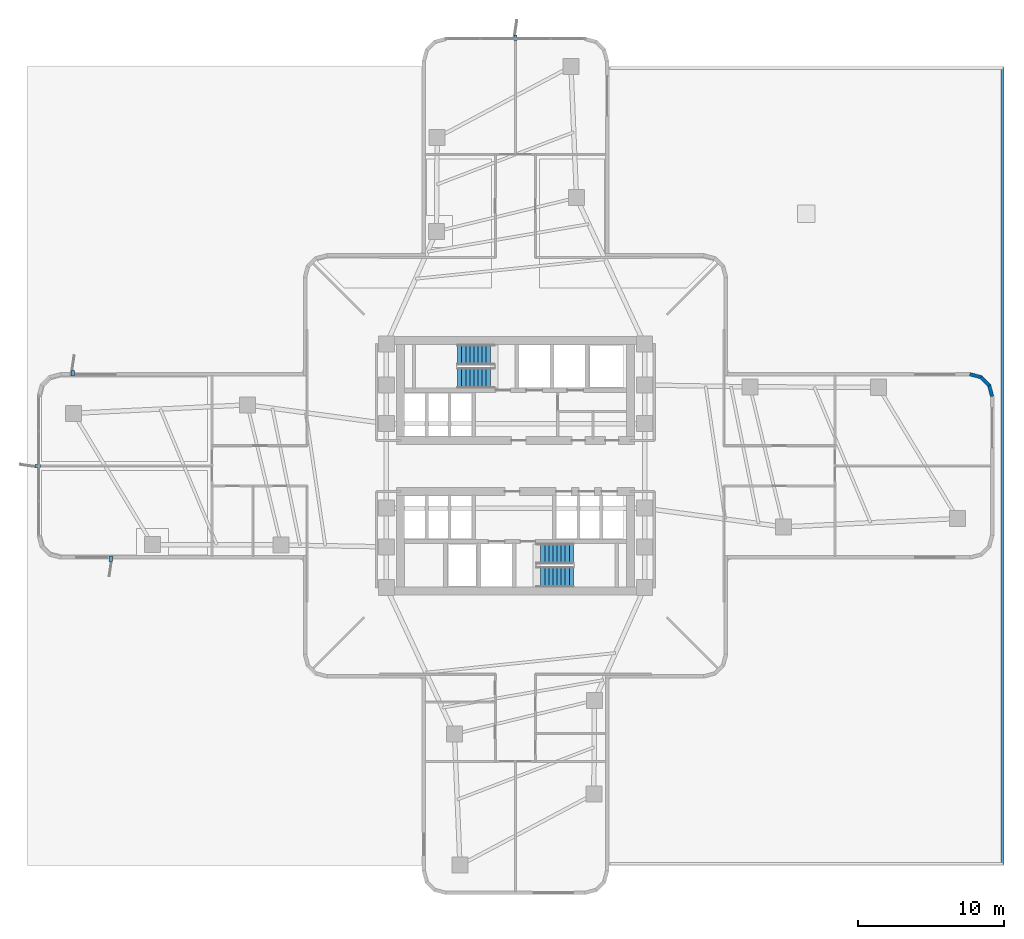
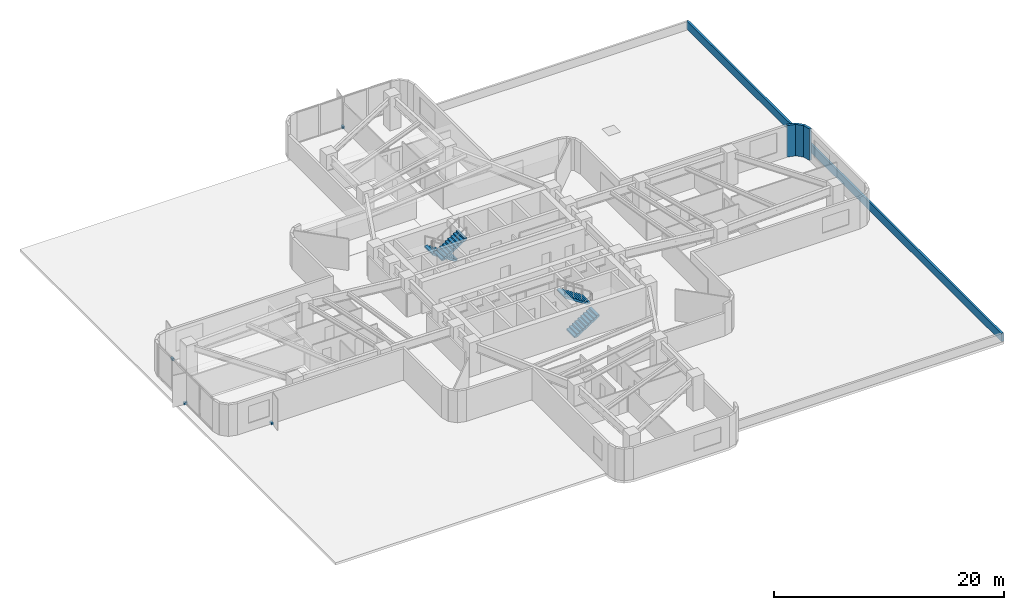
# One storey, part 11 of 14: 4 discrete accessories, 4 stair flights, 4 walls, 2 elements without a shape of their own.
"""IFC4 building model written with IfcOpenShell, lengths in metres."""

from ifc_helpers import new_model, si_unit, direction, frame, frame_2d, origin, origin_2d, place, context, subcontext, project, spatial, polyline, rectangle, outline, extrude, material, layer, layer_set, type_object, element, aggregate, save


model = new_model("IFC4")

# Units and contexts
model_context = context("Model", 3, precision=1e-05, world=origin(), true_north=direction((0.0, 1.0)))
body_context = subcontext(model_context, "Body", "Model", "MODEL_VIEW")
ifc_project = project(units=[si_unit("LENGTHUNIT", "METRE"), si_unit("AREAUNIT", "SQUARE_METRE"), si_unit("VOLUMEUNIT", "CUBIC_METRE"), si_unit("PLANEANGLEUNIT", "RADIAN"), si_unit("MASSUNIT", "GRAM", prefix="KILO")], contexts=[model_context])

# Site, building, storey
site_placement = place(None, origin())
site = spatial("IfcSite", under=ifc_project, at=site_placement, CompositionType="ELEMENT")
building_placement = place(site_placement, origin())
building = spatial("IfcBuilding", under=site, at=building_placement, Name="Solmarez Civic Tower", CompositionType="ELEMENT")
storey_placement = place(building_placement, frame((0.0, 0.0, 24.47998046875)))
storey = spatial("IfcBuildingStorey", under=building, at=storey_placement, Name="L05", CompositionType="ELEMENT", Elevation=24.47998046875)

# Walls
ifc_material_1 = material(Name="Precast concrete C40/50", Category="concrete")
ifc_layer_1 = layer(ifc_material_1, 0.239990234375)
ifc_layer_set_1 = layer_set([ifc_layer_1], Name="Precast concrete C40/50")
wall_type_1 = type_object("IfcWallType", Name="WALL-EXT-240", PredefinedType="SOLIDWALL", material=ifc_layer_set_1)
wall_1_placement = place(storey_placement, frame((31.159912109375, 6.285888671875, 0.0), z_axis=(0.0, 0.0, 1.0), x_axis=(0.966234939601, -0.25766265056, 0.0)))
element("IfcWall", 1, at=wall_1_placement, inside=storey, type_object=wall_type_1, Name="L05 Exterior Precast Wall 39", PredefinedType="SOLIDWALL", context=body_context, shape_type="SweptSolid", body=[
    extrude(rectangle(XDim=0.830078125, YDim=0.239990234375, at=frame_2d((0.4150390625, 0.0))), origin(), (0.0, 0.0, 1.0), 3.340087890625),
])
wall_2_placement = place(storey_placement, frame((31.919921875, 6.095947265625, 0.0), z_axis=(0.0, 0.0, 1.0), x_axis=(0.707256607812, -0.706956922808, 0.0)))
element("IfcWall", 2, at=wall_2_placement, inside=storey, type_object=wall_type_1, Name="L05 Exterior Precast Wall 40", PredefinedType="SOLIDWALL", context=body_context, shape_type="SweptSolid", body=[
    extrude(rectangle(XDim=0.814697265625, YDim=0.239990234375, at=frame_2d((0.4072265625, 0.0))), origin(), (0.0, 0.0, 1.0), 3.340087890625),
])
wall_3_placement = place(storey_placement, frame((32.471923828125, 5.56201171875, 0.0), z_axis=(0.0, 0.0, 1.0), x_axis=(0.257937227116, -0.966161677396, 0.0)))
element("IfcWall", 3, at=wall_3_placement, inside=storey, type_object=wall_type_1, Name="L05 Exterior Precast Wall 41", PredefinedType="SOLIDWALL", context=body_context, shape_type="SweptSolid", body=[
    extrude(rectangle(XDim=0.830078125, YDim=0.239990234375, at=frame_2d((0.4150390625, 0.0))), origin(), (0.0, 0.0, 1.0), 3.340087890625),
])
ifc_layer_2 = layer(ifc_material_1, 0.199951171875)
ifc_layer_set_2 = layer_set([ifc_layer_2], Name="Precast concrete C40/50")
wall_type_2 = type_object("IfcWallType", Name="WALL-PARAPET-200", PredefinedType="PARAPET", material=ifc_layer_set_2)
wall_4_placement = place(storey_placement, frame((33.3798828125, -27.320068359375, 0.0), z_axis=(0.0, 0.0, 1.0), x_axis=(0.0, 1.0, 0.0)))
element("IfcWall", 4, at=wall_4_placement, inside=storey, type_object=wall_type_2, Name="L05 Roof Perimeter Parapet 31", PredefinedType="PARAPET", context=body_context, shape_type="SweptSolid", body=[
    extrude(rectangle(XDim=54.64013671875, YDim=0.199951171875, at=frame_2d((27.320068359375, 0.0))), origin(), (0.0, 0.0, 1.0), 0.880126953125),
])

# Stair, stair flights
ifc_material_2 = material(Name="Concrete C50/60", Category="concrete")
stair_type = type_object("IfcStairType", Name="STAIR-DOGLEG-140W-20R-1800", PredefinedType="HALF_TURN_STAIR", material=ifc_material_2)
stair_1_placement = place(storey_placement, origin())
stair_1 = element("IfcStair", 5, at=stair_1_placement, inside=storey, type_object=stair_type, Name="L05 North Core Protected Exit Stair ST-1", PredefinedType="HALF_TURN_STAIR")
stair_flight_type = type_object("IfcStairFlightType", Name="FLIGHT-DOGLEG-140W-10R-1800", PredefinedType="STRAIGHT", material=ifc_material_2)
stair_flight_1_placement = place(storey_placement, frame((-1.449951171875, 7.6201171875, 0.0), z_axis=(0.0, 0.0, 1.0), x_axis=(-1.0, 0.0, 0.0)))
stair_flight_1 = element("IfcStairFlight", 6, at=stair_flight_1_placement, type_object=stair_flight_type, Name="ST-1 flight 1", NumberOfRisers=10, NumberOfTreads=9, PredefinedType="STRAIGHT", RiserHeight=0.18, TreadLength=0.28, context=body_context, shape_type="SweptSolid", body=[
    extrude(outline(polyline([(0.0, 0.0), (0.0, 0.179931640625), (0.280029296875, 0.179931640625), (0.280029296875, 0.360107421875), (0.56005859375, 0.360107421875), (0.56005859375, 0.5400390625), (0.840087890625, 0.5400390625), (0.840087890625, 0.719970703125), (1.1201171875, 0.719970703125), (1.1201171875, 0.89990234375), (1.39990234375, 0.89990234375), (1.39990234375, 1.080078125), (1.679931640625, 1.080078125), (1.679931640625, 1.260009765625), (1.9599609375, 1.260009765625), (1.9599609375, 1.43994140625), (2.239990234375, 1.43994140625), (2.239990234375, 1.6201171875), (2.52001953125, 1.6201171875), (2.52001953125, 1.800048828125), (2.52001953125, 1.429931640625), (0.295654296875, 0.0), (0.0, 0.0)])), frame((0.0, 0.699951171875, 0.0), z_axis=(0.0, -1.0, 0.0), x_axis=(1.0, 0.0, 0.0)), (0.0, 0.0, 1.0), 1.39990234375),
])
stair_flight_2_placement = place(storey_placement, frame((-3.969970703125, 6.02001953125, 1.800048828125), z_axis=(0.0, 0.0, 1.0), x_axis=(1.0, 0.0, 0.0)))
stair_flight_2 = element("IfcStairFlight", 7, at=stair_flight_2_placement, type_object=stair_flight_type, Name="ST-1 flight 2", NumberOfRisers=10, NumberOfTreads=9, PredefinedType="STRAIGHT", RiserHeight=0.18, TreadLength=0.28, context=body_context, shape_type="SweptSolid", body=[
    extrude(outline(polyline([(0.0, 0.0), (0.0, 0.179931640625), (0.280029296875, 0.179931640625), (0.280029296875, 0.360107421875), (0.56005859375, 0.360107421875), (0.56005859375, 0.5400390625), (0.840087890625, 0.5400390625), (0.840087890625, 0.719970703125), (1.1201171875, 0.719970703125), (1.1201171875, 0.89990234375), (1.39990234375, 0.89990234375), (1.39990234375, 1.080078125), (1.679931640625, 1.080078125), (1.679931640625, 1.260009765625), (1.9599609375, 1.260009765625), (1.9599609375, 1.43994140625), (2.239990234375, 1.43994140625), (2.239990234375, 1.6201171875), (2.52001953125, 1.6201171875), (2.52001953125, 1.800048828125), (2.52001953125, 1.429931640625), (0.295654296875, 0.0), (0.0, 0.0)])), frame((0.0, 0.699951171875, 0.0), z_axis=(0.0, -1.0, 0.0), x_axis=(1.0, 0.0, 0.0)), (0.0, 0.0, 1.0), 1.39990234375),
])
aggregate(stair_1, [stair_flight_1, stair_flight_2])

stair_2_placement = place(storey_placement, origin())
stair_2 = element("IfcStair", 8, at=stair_2_placement, inside=storey, type_object=stair_type, Name="L05 South Core Protected Exit Stair ST-2", PredefinedType="HALF_TURN_STAIR")
stair_flight_3_placement = place(storey_placement, frame((1.449951171875, -7.6201171875, 0.0), z_axis=(0.0, 0.0, 1.0), x_axis=(1.0, 0.0, 0.0)))
stair_flight_3 = element("IfcStairFlight", 9, at=stair_flight_3_placement, type_object=stair_flight_type, Name="ST-2 flight 1", NumberOfRisers=10, NumberOfTreads=9, PredefinedType="STRAIGHT", RiserHeight=0.18, TreadLength=0.28, context=body_context, shape_type="SweptSolid", body=[
    extrude(outline(polyline([(0.0, 0.0), (0.0, 0.179931640625), (0.280029296875, 0.179931640625), (0.280029296875, 0.360107421875), (0.56005859375, 0.360107421875), (0.56005859375, 0.5400390625), (0.840087890625, 0.5400390625), (0.840087890625, 0.719970703125), (1.1201171875, 0.719970703125), (1.1201171875, 0.89990234375), (1.39990234375, 0.89990234375), (1.39990234375, 1.080078125), (1.679931640625, 1.080078125), (1.679931640625, 1.260009765625), (1.9599609375, 1.260009765625), (1.9599609375, 1.43994140625), (2.239990234375, 1.43994140625), (2.239990234375, 1.6201171875), (2.52001953125, 1.6201171875), (2.52001953125, 1.800048828125), (2.52001953125, 1.429931640625), (0.295654296875, 0.0), (0.0, 0.0)])), frame((0.0, 0.699951171875, 0.0), z_axis=(0.0, -1.0, 0.0), x_axis=(1.0, 0.0, 0.0)), (0.0, 0.0, 1.0), 1.39990234375),
])
stair_flight_4_placement = place(storey_placement, frame((3.969970703125, -6.02001953125, 1.800048828125), z_axis=(0.0, 0.0, 1.0), x_axis=(-1.0, 0.0, 0.0)))
stair_flight_4 = element("IfcStairFlight", 10, at=stair_flight_4_placement, type_object=stair_flight_type, Name="ST-2 flight 2", NumberOfRisers=10, NumberOfTreads=9, PredefinedType="STRAIGHT", RiserHeight=0.18, TreadLength=0.28, context=body_context, shape_type="SweptSolid", body=[
    extrude(outline(polyline([(0.0, 0.0), (0.0, 0.179931640625), (0.280029296875, 0.179931640625), (0.280029296875, 0.360107421875), (0.56005859375, 0.360107421875), (0.56005859375, 0.5400390625), (0.840087890625, 0.5400390625), (0.840087890625, 0.719970703125), (1.1201171875, 0.719970703125), (1.1201171875, 0.89990234375), (1.39990234375, 0.89990234375), (1.39990234375, 1.080078125), (1.679931640625, 1.080078125), (1.679931640625, 1.260009765625), (1.9599609375, 1.260009765625), (1.9599609375, 1.43994140625), (2.239990234375, 1.43994140625), (2.239990234375, 1.6201171875), (2.52001953125, 1.6201171875), (2.52001953125, 1.800048828125), (2.52001953125, 1.429931640625), (0.295654296875, 0.0), (0.0, 0.0)])), frame((0.0, 0.699951171875, 0.0), z_axis=(0.0, -1.0, 0.0), x_axis=(1.0, 0.0, 0.0)), (0.0, 0.0, 1.0), 1.39990234375),
])
aggregate(stair_2, [stair_flight_3, stair_flight_4])

# Discrete accessories
ifc_material_3 = material(Name="Stainless Steel Grade 1.4401", Category="steel")
discrete_accessory_type = type_object("IfcDiscreteAccessoryType", Name="BRACKET-SS-FIN", PredefinedType="BRACKET", material=ifc_material_3)
for number, where, z_axis, x_axis, name in (
    (11, (-27.759033203125, -6.360107421875, -0.06005859375), (0.0, 0.0, 1.0), (0.0, -1.0, 0.0), "L05 Stainless Fin Support Bracket FIN-L05-01"),
    (12, (-32.760009765625, 0.0, -0.06005859375), (0.0, 0.0, 1.0), (-1.0, 0.0, 0.0), "L05 Stainless Fin Support Bracket FIN-L05-02"),
    (13, (-30.35888671875, 6.360107421875, -0.06005859375), (0.0, 0.0, 1.0), (0.0, 1.0, 0.0), "L05 Stainless Fin Support Bracket FIN-L05-03"),
    (14, (0.0, 29.360107421875, -0.06005859375), (0.0, 0.0, 1.0), (0.0, 1.0, 0.0), "L05 Stainless Fin Support Bracket FIN-L05-04"),
):
    element("IfcDiscreteAccessory", number, at=place(storey_placement, frame(where, z_axis=z_axis, x_axis=x_axis)), inside=storey, type_object=discrete_accessory_type, Name=name, PredefinedType="BRACKET", context=body_context, shape_type="SweptSolid", body=[
        extrude(rectangle(XDim=0.360107421875, YDim=0.219970703125, at=origin_2d()), origin(), (0.0, 0.0, 1.0), 0.239990234375),
    ])

save(model, "model.ifc")
